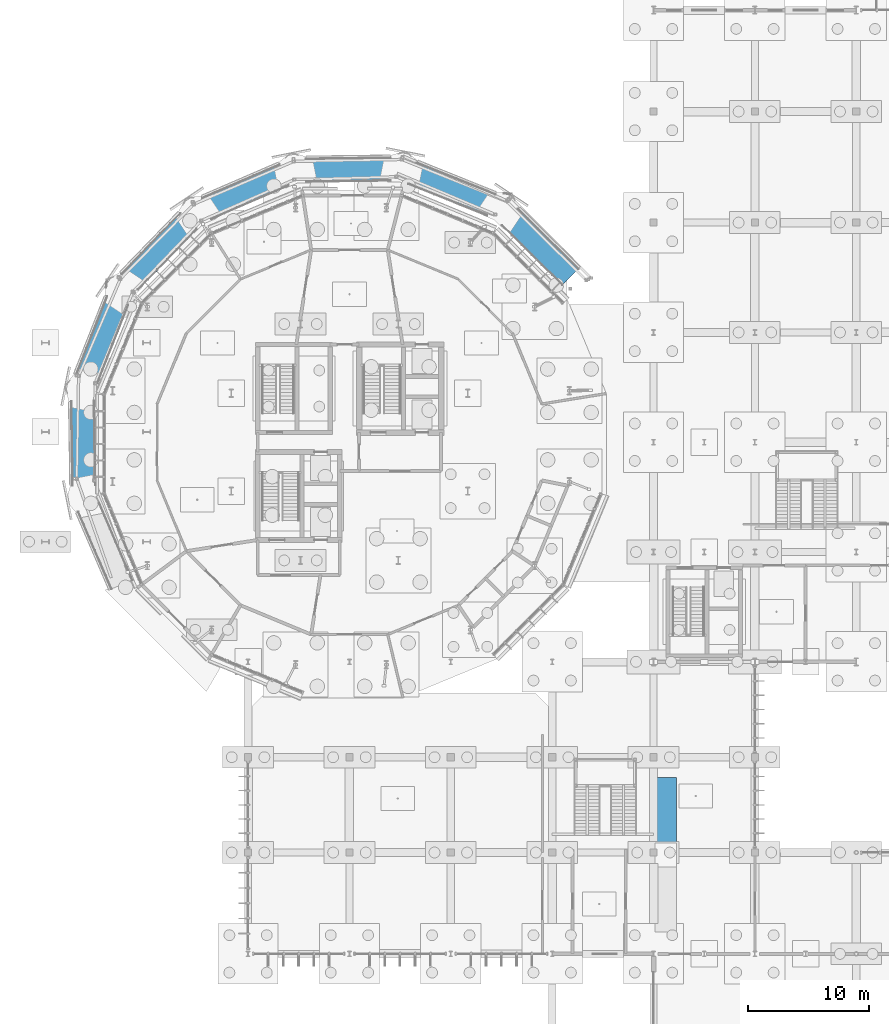
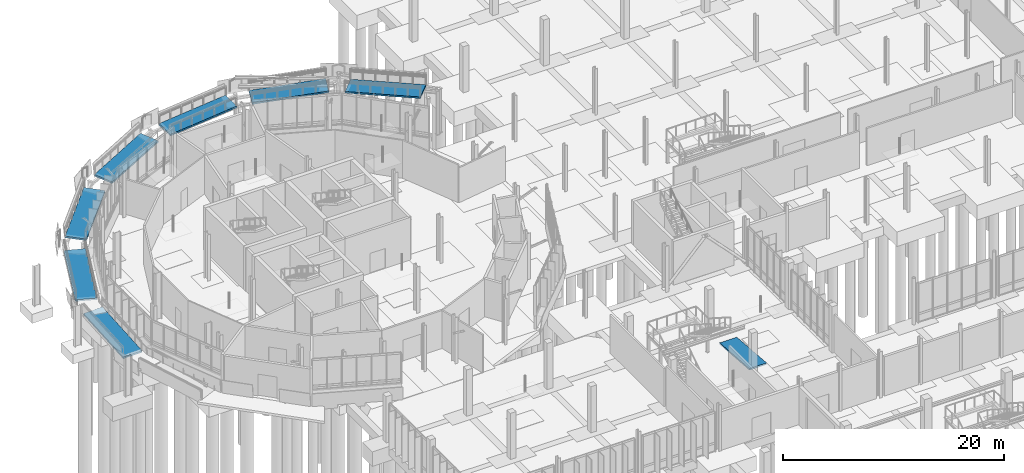
# One storey, part 91 of 119: 8 ramp flights, 2 elements without a shape of their own.
"""IFC4 building model written with IfcOpenShell, lengths in metres."""

from ifc_helpers import new_model, si_unit, derived_unit, direction, frame, origin, place, context, subcontext, project, spatial, polyline, outline, extrude, material, layer, layer_set, type_object, element, aggregate, save


model = new_model("IFC4")

# Units and contexts
model_context = context("Model", 3, precision=1e-05, world=origin(), true_north=direction((0.0, 1.0)))
body_context = subcontext(model_context, "Body", "Model", "MODEL_VIEW")
ifc_project = project(units=[si_unit("LENGTHUNIT", "METRE"), si_unit("AREAUNIT", "SQUARE_METRE"), si_unit("VOLUMEUNIT", "CUBIC_METRE"), si_unit("PLANEANGLEUNIT", "RADIAN"), si_unit("MASSUNIT", "GRAM", prefix="KILO"), derived_unit("THERMALTRANSMITTANCEUNIT", [(si_unit("MASSUNIT", "GRAM", prefix="KILO"), 1), (si_unit("TIMEUNIT", "SECOND"), -3), (si_unit("THERMODYNAMICTEMPERATUREUNIT", "KELVIN"), -1)])], contexts=[model_context])

# Site, building, storey
site_placement = place(None, origin())
site = spatial("IfcSite", under=ifc_project, at=site_placement, CompositionType="ELEMENT")
building_placement = place(site_placement, origin())
building = spatial("IfcBuilding", under=site, at=building_placement, Name="Makaiwela Harbour Ferry Terminal", CompositionType="ELEMENT")
storey_placement = place(building_placement, origin())
storey = spatial("IfcBuildingStorey", under=building, at=storey_placement, Name="L00", CompositionType="ELEMENT", Elevation=0.0)

# Ramp, ramp flights
ifc_material = material(Name="Concrete f'c 35 MPa (5000 psi)", Category="concrete")
ramp_type = type_object("IfcRampType", Name="CIR-RMP-ASSY", PredefinedType="STRAIGHT_RUN_RAMP", material=ifc_material)
ramp_1_placement = place(storey_placement, origin())
ramp_1 = element("IfcRamp", 1, at=ramp_1_placement, inside=storey, type_object=ramp_type, Name="External Coiled Promenade Ramp L00 to L01", PredefinedType="STRAIGHT_RUN_RAMP")
ifc_layer = layer(ifc_material, 0.179931640625)
ifc_layer_set = layer_set([ifc_layer], Name="Concrete f'c 35 MPa (5000 psi)")
ramp_flight_type = type_object("IfcRampFlightType", Name="CIR-RMP-FLT", PredefinedType="STRAIGHT", material=ifc_layer_set)
ramp_flight_1_placement = place(storey_placement, frame((15.80224609375, 64.031005859375, 0.637451171875), z_axis=(0.0, 0.0, 1.0), x_axis=(-0.015305939852, 0.999882857241, 0.0)))
ramp_flight_1 = element("IfcRampFlight", 2, at=ramp_flight_1_placement, type_object=ramp_flight_type, Name="Ramp Flight L00-F2", PredefinedType="STRAIGHT", context=body_context, shape_type="SweptSolid", body=[
    extrude(outline(polyline([(0.0, 0.0), (6.976806640625, 0.637451171875), (6.976806640625, 0.456787109375), (0.0, -0.1806640625), (0.0, 0.0)])), frame((0.0, 1.0, 0.0), z_axis=(0.0, -1.0, 0.0), x_axis=(1.0, 0.0, 0.0)), (0.0, 0.0, 1.0), 2.0),
])
ramp_flight_2_placement = place(storey_placement, frame((16.02978515625, 72.8408203125, 1.27490234375), z_axis=(0.0, 0.0, 1.0), x_axis=(0.367313029567, 0.93009738109, 0.0)))
ramp_flight_2 = element("IfcRampFlight", 3, at=ramp_flight_2_placement, type_object=ramp_flight_type, Name="Ramp Flight L00-F3", PredefinedType="STRAIGHT", context=body_context, shape_type="SweptSolid", body=[
    extrude(outline(polyline([(0.0, 0.0), (6.9794921875, 0.637451171875), (6.9794921875, 0.456787109375), (0.0, -0.1806640625), (0.0, 0.0)])), frame((0.0, 1.0, 0.0), z_axis=(0.0, -1.0, 0.0), x_axis=(1.0, 0.0, 0.0)), (0.0, 0.0, 1.0), 2.0),
])
ramp_flight_3_placement = place(storey_placement, frame((19.602783203125, 80.898681640625, 1.91259765625), z_axis=(0.0, 0.0, 1.0), x_axis=(0.695323480107, 0.718696916657, 0.0)))
ramp_flight_3 = element("IfcRampFlight", 4, at=ramp_flight_3_placement, type_object=ramp_flight_type, Name="Ramp Flight L00-F4", PredefinedType="STRAIGHT", context=body_context, shape_type="SweptSolid", body=[
    extrude(outline(polyline([(0.0, 0.0), (6.9794921875, 0.637451171875), (6.9794921875, 0.456787109375), (0.0, -0.1806640625), (0.0, 0.0)])), frame((0.0, 1.0, 0.0), z_axis=(0.0, -1.0, 0.0), x_axis=(1.0, 0.0, 0.0)), (0.0, 0.0, 1.0), 2.0),
])
ramp_flight_4_placement = place(storey_placement, frame((25.98828125, 86.974365234375, 2.550048828125), z_axis=(0.0, 0.0, 1.0), x_axis=(0.917934751181, 0.39673138592, 0.0)))
ramp_flight_4 = element("IfcRampFlight", 5, at=ramp_flight_4_placement, type_object=ramp_flight_type, Name="Ramp Flight L00-F5", PredefinedType="STRAIGHT", context=body_context, shape_type="SweptSolid", body=[
    extrude(outline(polyline([(0.0, 0.0), (6.981689453125, 0.637451171875), (6.981689453125, 0.456787109375), (0.0, -0.1806640625), (0.0, 0.0)])), frame((0.0, 1.0, 0.0), z_axis=(0.0, -1.0, 0.0), x_axis=(1.0, 0.0, 0.0)), (0.0, 0.0, 1.0), 2.0),
])
ramp_flight_5_placement = place(storey_placement, frame((34.218994140625, 90.13330078125, 3.1875), z_axis=(0.0, 0.0, 1.0), x_axis=(0.999916822168, 0.012897625561, 0.0)))
ramp_flight_5 = element("IfcRampFlight", 6, at=ramp_flight_5_placement, type_object=ramp_flight_type, Name="Ramp Flight L00-F6", PredefinedType="STRAIGHT", context=body_context, shape_type="SweptSolid", body=[
    extrude(outline(polyline([(0.0, 0.0), (6.989990234375, 0.637451171875), (6.989990234375, 0.456787109375), (0.0, -0.1806640625), (0.0, 0.0)])), frame((0.0, 1.0, 0.0), z_axis=(0.0, -1.0, 0.0), x_axis=(1.0, 0.0, 0.0)), (0.0, 0.0, 1.0), 2.0),
])
ramp_flight_6_placement = place(storey_placement, frame((43.039306640625, 89.881103515625, 3.824951171875), z_axis=(0.0, 0.0, 1.0), x_axis=(0.927608235528, -0.373554495863, 0.0)))
ramp_flight_6 = element("IfcRampFlight", 7, at=ramp_flight_6_placement, type_object=ramp_flight_type, Name="Ramp Flight L00-F7", PredefinedType="STRAIGHT", context=body_context, shape_type="SweptSolid", body=[
    extrude(outline(polyline([(0.0, 0.0), (7.0078125, 0.637451171875), (7.0078125, 0.456787109375), (0.0, -0.1806640625), (0.0, 0.0)])), frame((0.0, 1.0, 0.0), z_axis=(0.0, -1.0, 0.0), x_axis=(1.0, 0.0, 0.0)), (0.0, 0.0, 1.0), 2.0),
])
ramp_flight_7_placement = place(storey_placement, frame((51.097412109375, 86.240966796875, 4.46240234375), z_axis=(0.0, 0.0, 1.0), x_axis=(0.711719606155, -0.702463666117, 0.0)))
ramp_flight_7 = element("IfcRampFlight", 8, at=ramp_flight_7_placement, type_object=ramp_flight_type, Name="Ramp Flight L00-F8", PredefinedType="STRAIGHT", context=body_context, shape_type="SweptSolid", body=[
    extrude(outline(polyline([(0.0, 0.0), (7.037109375, 0.637451171875), (7.037109375, 0.456787109375), (0.0, -0.1806640625), (0.0, 0.0)])), frame((0.0, 1.0, 0.0), z_axis=(0.0, -1.0, 0.0), x_axis=(1.0, 0.0, 0.0)), (0.0, 0.0, 1.0), 2.0),
])
aggregate(ramp_1, [ramp_flight_1, ramp_flight_2, ramp_flight_3, ramp_flight_4, ramp_flight_5, ramp_flight_6, ramp_flight_7])

# Ramp, ramp flight
ramp_2_placement = place(storey_placement, origin())
ramp_2 = element("IfcRamp", 9, at=ramp_2_placement, inside=storey, type_object=ramp_type, Name="Biosecurity Inspection Accessible Ramp", PredefinedType="STRAIGHT_RUN_RAMP")
ramp_flight_8_placement = place(storey_placement, frame((64.0, 39.800048828125, 0.0), z_axis=(0.0, 0.0, 1.0), x_axis=(0.0, -1.0, 0.0)))
ramp_flight_8 = element("IfcRampFlight", 10, at=ramp_flight_8_placement, type_object=ramp_flight_type, Name="Biosecurity Ramp Flight 2", PredefinedType="STRAIGHT", context=body_context, shape_type="SweptSolid", body=[
    extrude(outline(polyline([(0.0, 0.0), (5.39990234375, 0.419921875), (5.39990234375, 0.239501953125), (0.0, -0.180419921875), (0.0, 0.0)])), frame((0.0, 0.89990234375, 0.0), z_axis=(0.0, -1.0, 0.0), x_axis=(1.0, 0.0, 0.0)), (0.0, 0.0, 1.0), 1.800048828125),
])
aggregate(ramp_2, [ramp_flight_8])

save(model, "model.ifc")
